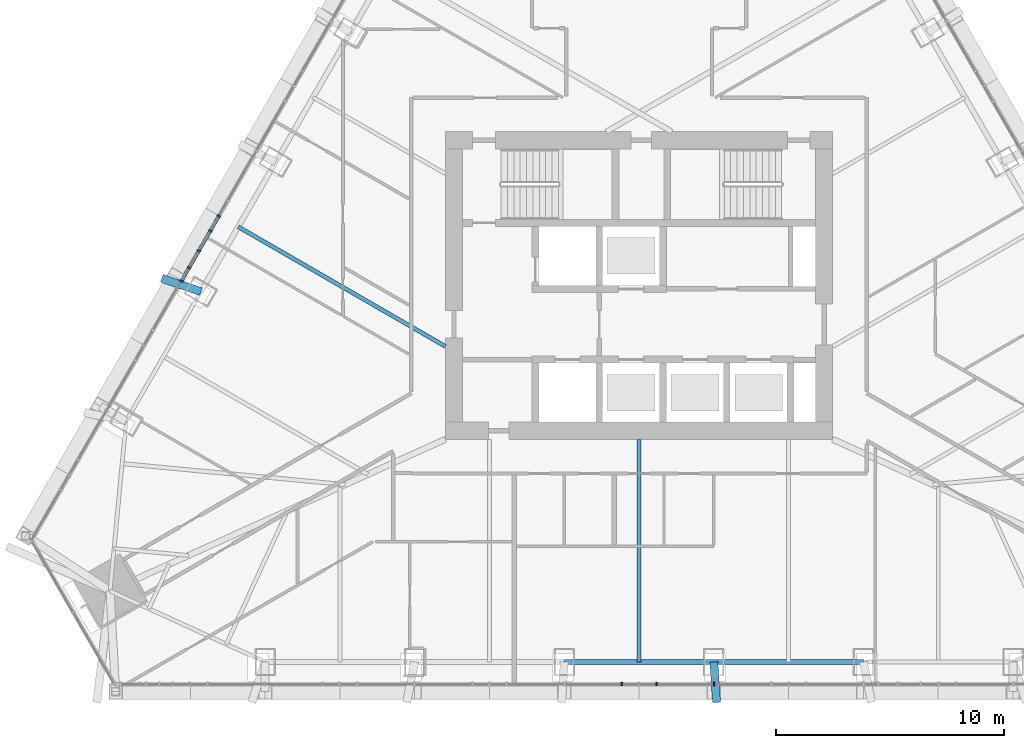
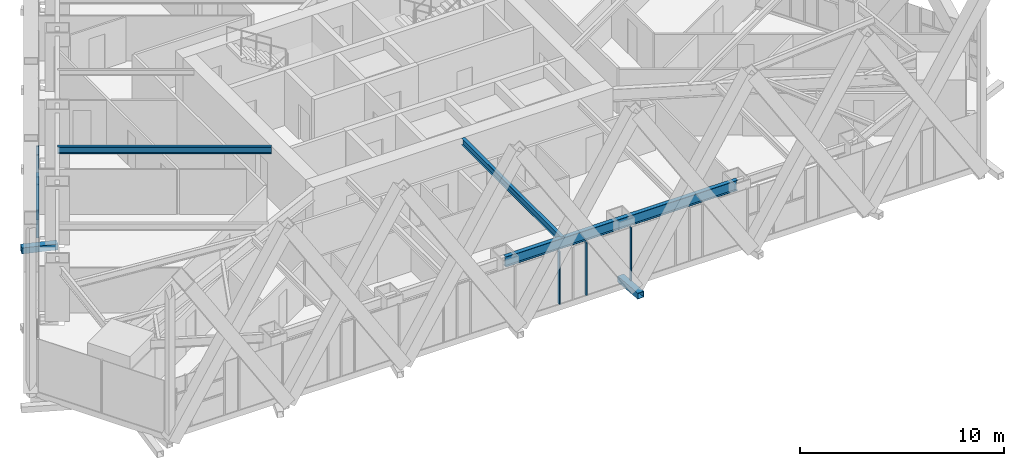
# One storey, part 4 of 25: 11 members, 3 beams, 2 elements without a shape of their own.
"""IFC4 building model written with IfcOpenShell, lengths in metres."""

from ifc_helpers import new_model, si_unit, direction, frame, origin, origin_2d, place, context, subcontext, project, spatial, rectangle, hollow_rectangle, i_section, extrude, material, layer, layer_set, material_profile, profile_set, type_object, element, aggregate, save


model = new_model("IFC4")

# Units and contexts
model_context = context("Model", 3, precision=1e-05, world=origin(), true_north=direction((0.0, 1.0)))
body_context = subcontext(model_context, "Body", "Model", "MODEL_VIEW")
ifc_project = project(units=[si_unit("LENGTHUNIT", "METRE"), si_unit("AREAUNIT", "SQUARE_METRE"), si_unit("VOLUMEUNIT", "CUBIC_METRE"), si_unit("PLANEANGLEUNIT", "RADIAN"), si_unit("MASSUNIT", "GRAM", prefix="KILO")], contexts=[model_context])

# Site, building, storey
site_placement = place(None, origin())
site = spatial("IfcSite", under=ifc_project, at=site_placement, CompositionType="ELEMENT")
building_placement = place(site_placement, origin())
building = spatial("IfcBuilding", under=site, at=building_placement, Name="Firuza Gate Tower and Library", CompositionType="ELEMENT")
storey_placement = place(building_placement, frame((0.0, 0.0, 270.60009765625)))
storey = spatial("IfcBuildingStorey", under=building, at=storey_placement, Name="L64", CompositionType="ELEMENT", Elevation=270.60009765625)

# Curtain wall, members
ifc_material_1 = material(Name="Aluminium 6063-T6", Category="aluminium")
ifc_layer = layer(ifc_material_1, 0.14990234375)
ifc_layer_set = layer_set([ifc_layer], Name="Unitised curtain wall, residences")
curtain_wall_type = type_object("IfcCurtainWallType", Name="Unitised curtain wall, residences", PredefinedType="NOTDEFINED", material=ifc_layer_set)
placement = place(storey_placement, origin())
curtain_wall_1 = element("IfcCurtainWall", 1, at=placement, inside=storey, type_object=curtain_wall_type, Name="CW3 L64 S face", PredefinedType="NOTDEFINED")
ifc_material_2 = material(Name="Aluminium 6063-T6", Category="aluminium")
ifc_material_profile_1 = material_profile(ifc_material_2, rectangle(XDim=0.14990234375, YDim=0.080078125, at=origin_2d()))
ifc_profile_set_1 = profile_set([ifc_material_profile_1], Name="Aluminium 6063-T6")
member_type_1 = type_object("IfcMemberType", Name="Curtain wall mullion 80x150", PredefinedType="MULLION", material=ifc_profile_set_1)
member_1_placement = place(storey_placement, frame((78.288818359375, 57.501220703125, 0.14990234375), z_axis=(0.0, 0.0, 1.0), x_axis=(0.0, 1.0, 0.0)))
member_1 = element("IfcMember", 2, at=member_1_placement, type_object=member_type_1, Name="Mullion", PredefinedType="MULLION", context=body_context, shape_type="SweptSolid", body=[
    extrude(rectangle(XDim=0.14990234375, YDim=0.080078125, at=origin_2d()), origin(), (0.0, 0.0, 1.0), 3.14990234375),
])
member_2_placement = place(storey_placement, frame((74.238525390625, 57.501220703125, 0.14990234375), z_axis=(0.0, 0.0, 1.0), x_axis=(0.0, 1.0, 0.0)))
member_2 = element("IfcMember", 3, at=member_2_placement, type_object=member_type_1, Name="Mullion", PredefinedType="MULLION", context=body_context, shape_type="SweptSolid", body=[
    extrude(rectangle(XDim=0.14990234375, YDim=0.080078125, at=origin_2d()), origin(), (0.0, 0.0, 1.0), 3.14990234375),
])
member_3_placement = place(storey_placement, frame((75.761474609375, 57.501220703125, 0.14990234375), z_axis=(0.0, 0.0, 1.0), x_axis=(0.0, 1.0, 0.0)))
member_3 = element("IfcMember", 4, at=member_3_placement, type_object=member_type_1, Name="Mullion", PredefinedType="MULLION", context=body_context, shape_type="SweptSolid", body=[
    extrude(rectangle(XDim=0.14990234375, YDim=0.080078125, at=origin_2d()), origin(), (0.0, 0.0, 1.0), 3.14990234375),
])
aggregate(curtain_wall_1, [member_1, member_2, member_3])

curtain_wall_2 = element("IfcCurtainWall", 5, at=placement, inside=storey, type_object=curtain_wall_type, Name="CW3 L64 W face", PredefinedType="NOTDEFINED")
member_4_placement = place(storey_placement, frame((56.556884765625, 78.052978515625, 0.14990234375), z_axis=(0.0, 0.0, 1.0), x_axis=(0.866025403784, -0.5, 0.0)))
member_4 = element("IfcMember", 6, at=member_4_placement, type_object=member_type_1, Name="Mullion", PredefinedType="MULLION", context=body_context, shape_type="SweptSolid", body=[
    extrude(rectangle(XDim=0.14990234375, YDim=0.080078125, at=origin_2d()), origin(), (0.0, 0.0, 1.0), 3.14990234375),
])
member_5_placement = place(storey_placement, frame((54.912353515625, 75.20458984375, 0.14990234375), z_axis=(0.0, 0.0, 1.0), x_axis=(0.866025403784, -0.5, 0.0)))
member_5 = element("IfcMember", 7, at=member_5_placement, type_object=member_type_1, Name="Mullion", PredefinedType="MULLION", context=body_context, shape_type="SweptSolid", body=[
    extrude(rectangle(XDim=0.14990234375, YDim=0.080078125, at=origin_2d()), origin(), (0.0, 0.0, 1.0), 3.14990234375),
])
member_6_placement = place(storey_placement, frame((55.677490234375, 76.529541015625, 0.14990234375), z_axis=(0.0, 0.0, 1.0), x_axis=(0.866025403784, -0.5, 0.0)))
member_6 = element("IfcMember", 8, at=member_6_placement, type_object=member_type_1, Name="Mullion", PredefinedType="MULLION", context=body_context, shape_type="SweptSolid", body=[
    extrude(rectangle(XDim=0.14990234375, YDim=0.080078125, at=origin_2d()), origin(), (0.0, 0.0, 1.0), 1.534912109375),
])
member_7_placement = place(storey_placement, frame((56.182373046875, 77.404052734375, 1.764892578125), z_axis=(0.0, 0.0, 1.0), x_axis=(0.866025403784, -0.5, 0.0)))
member_7 = element("IfcMember", 9, at=member_7_placement, type_object=member_type_1, Name="Mullion", PredefinedType="MULLION", context=body_context, shape_type="SweptSolid", body=[
    extrude(rectangle(XDim=0.14990234375, YDim=0.080078125, at=origin_2d()), origin(), (0.0, 0.0, 1.0), 1.534912109375),
])
member_8_placement = place(storey_placement, frame((55.24462890625, 75.780029296875, 1.764892578125), z_axis=(0.0, 0.0, 1.0), x_axis=(0.866025403784, -0.5, 0.0)))
member_8 = element("IfcMember", 10, at=member_8_placement, type_object=member_type_1, Name="Mullion", PredefinedType="MULLION", context=body_context, shape_type="SweptSolid", body=[
    extrude(rectangle(XDim=0.14990234375, YDim=0.080078125, at=origin_2d()), origin(), (0.0, 0.0, 1.0), 1.534912109375),
])
ifc_material_3 = material(Name="Aluminium 6063-T6", Category="aluminium")
ifc_material_profile_2 = material_profile(ifc_material_3, rectangle(XDim=0.14990234375, YDim=0.080078125, at=origin_2d()))
ifc_profile_set_2 = profile_set([ifc_material_profile_2], Name="Aluminium 6063-T6")
member_type_2 = type_object("IfcMemberType", Name="Curtain wall transom 80x150", PredefinedType="USERDEFINED", material=ifc_profile_set_2)
member_9_placement = place(storey_placement, frame((56.536865234375, 78.018310546875, 1.724853515625), z_axis=(-0.500001248813, -0.866024682781, 0.0), x_axis=(0.866024682781, -0.500001248813, 0.0)))
member_9 = element("IfcMember", 11, at=member_9_placement, type_object=member_type_2, Name="Transom", ObjectType="TRANSOM", PredefinedType="USERDEFINED", context=body_context, shape_type="SweptSolid", body=[
    extrude(rectangle(XDim=0.14990234375, YDim=0.080078125, at=origin_2d()), origin(), (0.0, 0.0, 1.0), 3.208984375),
])
aggregate(curtain_wall_2, [member_4, member_5, member_6, member_7, member_8, member_9])

# Members
ifc_material_4 = material(Name="Steel S355", Category="steel")
ifc_material_profile_3 = material_profile(ifc_material_4, hollow_rectangle(XDim=0.355712890625, YDim=0.355712890625, WallThickness=0.014892578125, at=origin_2d()))
ifc_profile_set_3 = profile_set([ifc_material_profile_3], Name="Steel S355")
member_type_3 = type_object("IfcMemberType", Name="HSS356x356x16 Lattice node tie", PredefinedType="BRACE", material=ifc_profile_set_3)
member_10_placement = place(storey_placement, frame((78.28271484375, 58.476318359375, -0.320068359375), z_axis=(0.065908397593, -0.997825677725, 0.0), x_axis=(0.997825677725, 0.065908397593, 0.0)))
element("IfcMember", 12, at=member_10_placement, inside=storey, type_object=member_type_3, Name="Lattice node tie S L64 409", PredefinedType="BRACE", context=body_context, shape_type="SweptSolid", body=[
    extrude(hollow_rectangle(XDim=0.355712890625, YDim=0.355712890625, WallThickness=0.014892578125, at=origin_2d()), origin(), (0.0, 0.0, 1.0), 1.778076171875),
])
member_11_placement = place(storey_placement, frame((55.76611328125, 74.733154296875, -0.320068359375), z_axis=(-0.946762871193, 0.321931771856, 0.0), x_axis=(-0.321931771856, -0.946762871193, 0.0)))
element("IfcMember", 13, at=member_11_placement, inside=storey, type_object=member_type_3, Name="Lattice node tie W L64 419", PredefinedType="BRACE", context=body_context, shape_type="SweptSolid", body=[
    extrude(hollow_rectangle(XDim=0.355712890625, YDim=0.355712890625, WallThickness=0.014892578125, at=origin_2d()), origin(), (0.0, 0.0, 1.0), 1.80859375),
])

# Beams
ifc_material_5 = material(Name="Steel S355", Category="steel")
ifc_material_profile_4 = material_profile(ifc_material_5, i_section(OverallWidth=0.177978515625, OverallDepth=0.406982421875, WebThickness=0.0078125, FlangeThickness=0.0126953125, at=origin_2d()))
ifc_profile_set_4 = profile_set([ifc_material_profile_4], Name="Steel S355")
beam_type_1 = type_object("IfcBeamType", Name="W410x60 Floor beam", PredefinedType="JOIST", material=ifc_profile_set_4)
beam_1_placement = place(storey_placement, frame((75.0, 58.476318359375, 3.096435546875), z_axis=(0.0, 1.0, 0.0), x_axis=(-1.0, 0.0, 0.0)))
element("IfcBeam", 14, at=beam_1_placement, inside=storey, type_object=beam_type_1, Name="Floor beam L64 s22", PredefinedType="JOIST", context=body_context, shape_type="SweptSolid", body=[
    extrude(i_section(OverallWidth=0.177978515625, OverallDepth=0.406982421875, WebThickness=0.0078125, FlangeThickness=0.0126953125, at=origin_2d()), origin(), (0.0, 0.0, 1.0), 9.773681640625),
])
beam_2_placement = place(storey_placement, frame((57.407470703125, 77.576171875, 3.096435546875), z_axis=(0.866017913171, -0.500012973899, 0.0), x_axis=(0.500012973899, 0.866017913171, 0.0)))
element("IfcBeam", 15, at=beam_2_placement, inside=storey, type_object=beam_type_1, Name="Floor beam L64 s83", PredefinedType="JOIST", context=body_context, shape_type="SweptSolid", body=[
    extrude(i_section(OverallWidth=0.177978515625, OverallDepth=0.406982421875, WebThickness=0.0078125, FlangeThickness=0.0126953125, at=origin_2d()), origin(), (0.0, 0.0, 1.0), 10.499267578125),
])
ifc_material_6 = material(Name="Steel S355", Category="steel")
ifc_material_profile_5 = material_profile(ifc_material_6, i_section(OverallWidth=0.22900390625, OverallDepth=0.612060546875, WebThickness=0.011962890625, FlangeThickness=0.01953125, at=origin_2d()))
ifc_profile_set_5 = profile_set([ifc_material_profile_5], Name="Steel S355")
beam_type_2 = type_object("IfcBeamType", Name="W610x125 Edge beam", PredefinedType="SPANDREL", material=ifc_profile_set_5)
beam_3_placement = place(storey_placement, frame((71.71728515625, 58.476318359375, 2.993896484375), z_axis=(1.0, 0.0, 0.0), x_axis=(0.0, 1.0, 0.0)))
element("IfcBeam", 16, at=beam_3_placement, inside=storey, type_object=beam_type_2, Name="Edge beam L64 e22", PredefinedType="SPANDREL", context=body_context, shape_type="SweptSolid", body=[
    extrude(i_section(OverallWidth=0.22900390625, OverallDepth=0.612060546875, WebThickness=0.011962890625, FlangeThickness=0.01953125, at=origin_2d()), origin(), (0.0, 0.0, 1.0), 13.130615234375),
])

save(model, "model.ifc")
